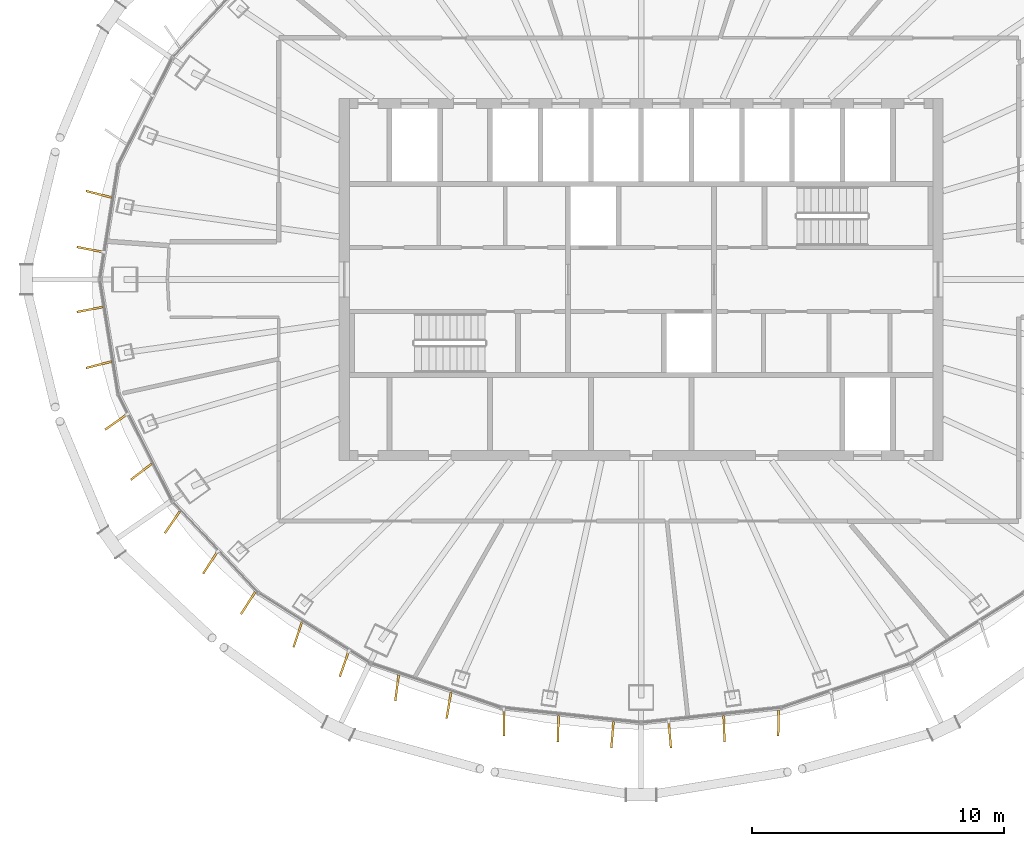
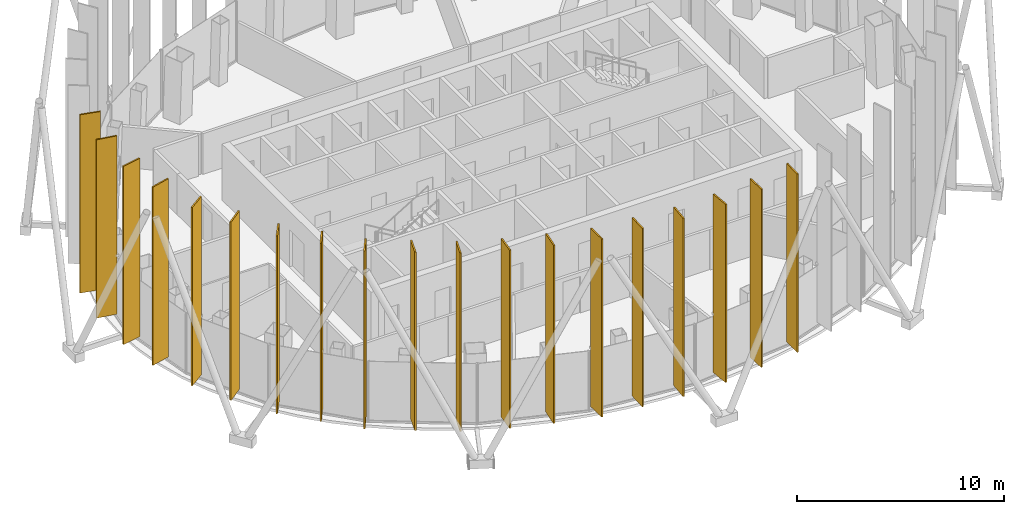
# One storey, part 17 of 20: 19 shading devices.
"""IFC4 building model written with IfcOpenShell, lengths in metres."""

from ifc_helpers import new_model, si_unit, direction, frame, origin, origin_2d, place, context, subcontext, project, spatial, rectangle, extrude, material, layer, layer_set, type_object, element, save


model = new_model("IFC4")

# Units and contexts
model_context = context("Model", 3, precision=1e-05, world=origin(), true_north=direction((0.0, 1.0)))
body_context = subcontext(model_context, "Body", "Model", "MODEL_VIEW")
ifc_project = project(units=[si_unit("LENGTHUNIT", "METRE"), si_unit("AREAUNIT", "SQUARE_METRE"), si_unit("VOLUMEUNIT", "CUBIC_METRE"), si_unit("PLANEANGLEUNIT", "RADIAN"), si_unit("MASSUNIT", "GRAM", prefix="KILO")], contexts=[model_context])

# Site, building, storey
site_placement = place(None, origin())
site = spatial("IfcSite", under=ifc_project, at=site_placement, CompositionType="ELEMENT")
building_placement = place(site_placement, origin())
building = spatial("IfcBuilding", under=site, at=building_placement, Name="Siaravel Broadcast Tower", CompositionType="ELEMENT")
storey_placement = place(building_placement, frame((0.0, 0.0, 228.199951171875)))
storey = spatial("IfcBuildingStorey", under=building, at=storey_placement, Name="L55", CompositionType="ELEMENT", Elevation=228.199951171875)

# Shading devices
ifc_material = material(Name="Bronze anodised aluminium", Category="aluminium")
ifc_layer = layer(ifc_material, 0.080078125)
ifc_layer_set = layer_set([ifc_layer], Name="Bronze anodised aluminium")
shading_device_type = type_object("IfcShadingDeviceType", Name="Bronze fin zone 4", PredefinedType="USERDEFINED", material=ifc_layer_set)
for number, where, z_axis, x_axis, name in (
    (1, (-21.555908203125, 3.38916015625, 0.300048828125), (0.0, 0.0, 1.0), (-0.96926527, 0.24601796, 0.0), "Bronze fin L55-27"),
    (2, (-21.91064453125, 1.19287109375, 0.300048828125), (0.0, 0.0, 1.0), (-0.982091145, 0.188406432, 0.0), "Bronze fin L55-28"),
    (3, (-21.91064453125, -1.19287109375, 0.300048828125), (0.0, 0.0, 1.0), (-0.982091145, -0.188406432, 0.0), "Bronze fin L55-29"),
    (4, (-21.555908203125, -3.38916015625, 0.300048828125), (0.0, 0.0, 1.0), (-0.96926527, -0.24601796, 0.0), "Bronze fin L55-30"),
    (5, (-20.8701171875, -5.664794921875, 0.300048828125), (0.0, 0.0, 1.0), (-0.819731251, -0.572748353, 0.0), "Bronze fin L55-31"),
    (6, (-19.86669921875, -7.64111328125, 0.300048828125), (0.0, 0.0, 1.0), (-0.793974483, -0.607951084, 0.0), "Bronze fin L55-32"),
    (7, (-18.632080078125, -9.649658203125, 0.300048828125), (0.0, 0.0, 1.0), (-0.564987165, -0.825099693, 0.0), "Bronze fin L55-33"),
    (8, (-17.12353515625, -11.256591796875, 0.300048828125), (0.0, 0.0, 1.0), (-0.548690177, -0.836025771, 0.0), "Bronze fin L55-34"),
    (9, (-15.62060546875, -12.85986328125, 0.300048828125), (0.0, 0.0, 1.0), (-0.542752342, -0.839892788, 0.0), "Bronze fin L55-35"),
    (10, (-13.651123046875, -14.1201171875, 0.300048828125), (0.0, 0.0, 1.0), (-0.316453788, -0.948607927, 0.0), "Bronze fin L55-36"),
    (11, (-11.802001953125, -15.284912109375, 0.300048828125), (0.0, 0.0, 1.0), (-0.332177594, -0.94321686, 0.0), "Bronze fin L55-37"),
    (12, (-9.7041015625, -16.232177734375, 0.300048828125), (0.0, 0.0, 1.0), (-0.130489854, -0.991449645, 0.0), "Bronze fin L55-38"),
    (13, (-7.64453125, -16.934326171875, 0.300048828125), (0.0, 0.0, 1.0), (-0.164877185, -0.986314105, 0.0), "Bronze fin L55-39"),
    (14, (-5.4541015625, -17.626220703125, 0.300048828125), (0.0, 0.0, 1.0), (0.012484016, -0.999922072, 0.0), "Bronze fin L55-40"),
    (15, (-3.296875, -17.861083984375, 0.300048828125), (0.0, 0.0, 1.0), (-0.033357525, -0.999443483, 0.0), "Bronze fin L55-41"),
    (16, (-1.14111328125, -18.0947265625, 0.300048828125), (0.0, 0.0, 1.0), (-0.082453378, -0.996594923, 0.0), "Bronze fin L55-42"),
    (17, (1.14111328125, -18.0947265625, 0.300048828125), (0.0, 0.0, 1.0), (0.082453378, -0.996594923, 0.0), "Bronze fin L55-43"),
    (18, (3.296875, -17.861083984375, 0.300048828125), (0.0, 0.0, 1.0), (0.033357525, -0.999443483, 0.0), "Bronze fin L55-44"),
    (19, (5.4541015625, -17.626220703125, 0.300048828125), (0.0, 0.0, 1.0), (-0.012484016, -0.999922072, 0.0), "Bronze fin L55-45"),
):
    element("IfcShadingDevice", number, at=place(storey_placement, frame(where, z_axis=z_axis, x_axis=x_axis)), inside=storey, type_object=shading_device_type, Name=name, ObjectType="FIN", PredefinedType="USERDEFINED", context=body_context, shape_type="SweptSolid", body=[
        extrude(rectangle(XDim=1.050048828125, YDim=0.080078125, at=origin_2d()), origin(), (0.0, 0.0, 1.0), 10.5),
    ])

save(model, "model.ifc")
